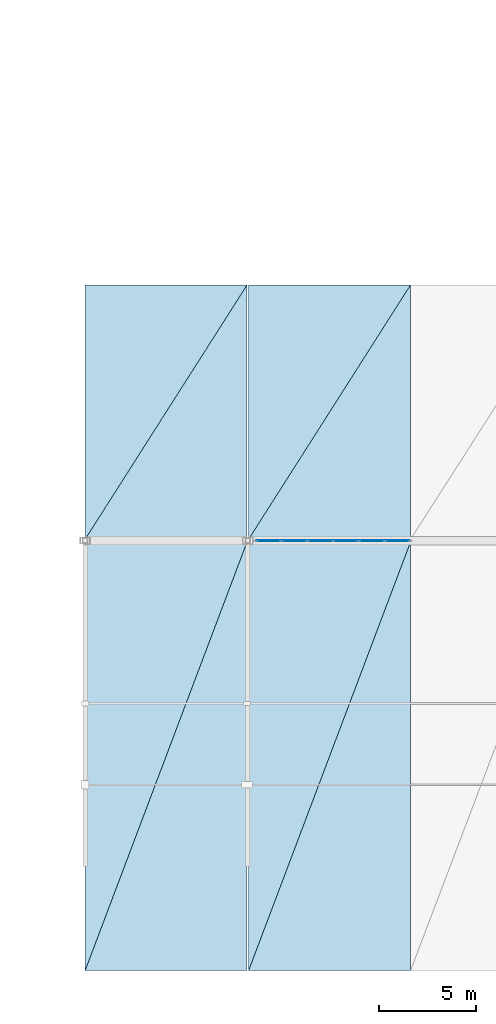
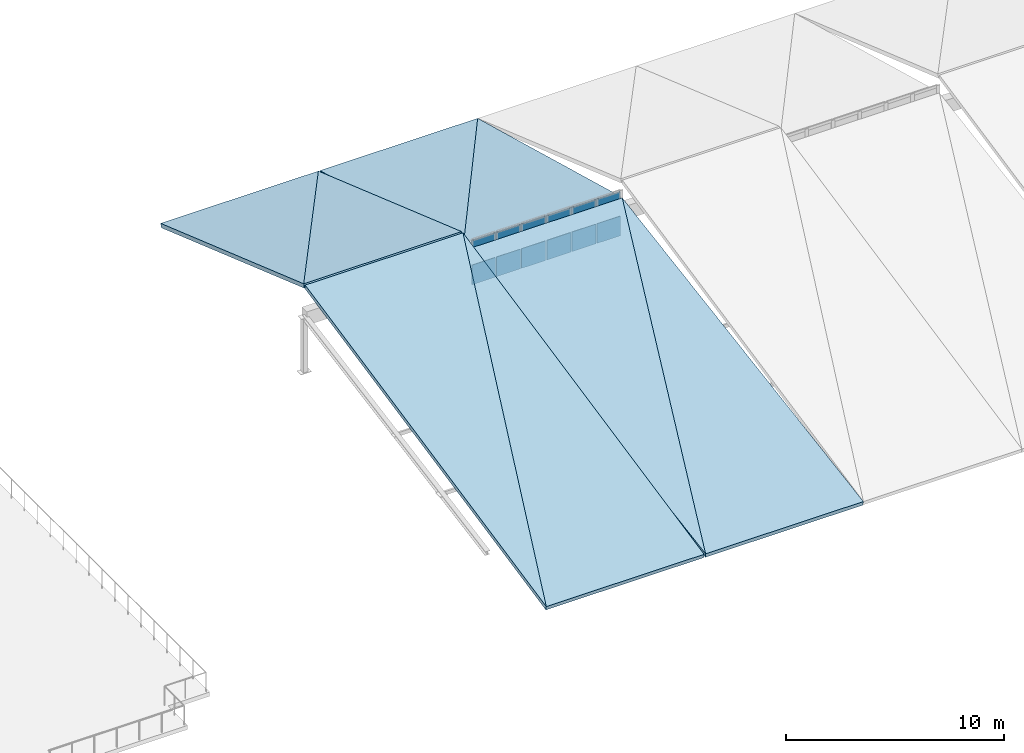
# One storey, part 56 of 76: 12 plates, 8 slabs, 1 element without a shape of its own.
"""IFC4 building model written with IfcOpenShell, lengths in metres."""

from ifc_helpers import new_model, si_unit, direction, frame, origin, origin_2d, place, context, subcontext, project, spatial, polyline, rectangle, outline, extrude, material, layer, layer_set, type_object, element, aggregate, save


model = new_model("IFC4")

# Units and contexts
model_context = context("Model", 3, precision=1e-05, world=origin(), true_north=direction((0.0, 1.0)))
body_context = subcontext(model_context, "Body", "Model", "MODEL_VIEW")
ifc_project = project(units=[si_unit("LENGTHUNIT", "METRE"), si_unit("AREAUNIT", "SQUARE_METRE"), si_unit("VOLUMEUNIT", "CUBIC_METRE"), si_unit("PLANEANGLEUNIT", "RADIAN"), si_unit("MASSUNIT", "GRAM", prefix="KILO")], contexts=[model_context])

# Site, building, storey
site_placement = place(None, origin())
site = spatial("IfcSite", under=ifc_project, at=site_placement, CompositionType="ELEMENT")
building_placement = place(site_placement, origin())
building = spatial("IfcBuilding", under=site, at=building_placement, Name="Krzemoval Escarpment Law Courts", CompositionType="ELEMENT")
storey_placement = place(building_placement, frame((0.0, 0.0, 20.39990234375)))
storey = spatial("IfcBuildingStorey", under=building, at=storey_placement, Name="L04", CompositionType="ELEMENT", Elevation=20.39990234375)

# Curtain wall, plates
ifc_material_1 = material(Name="Aluminium 6063-T6", Category="aluminium")
ifc_layer_1 = layer(ifc_material_1, 0.199951171875)
ifc_layer_set_1 = layer_set([ifc_layer_1], Name="Aluminium 6063-T6")
curtain_wall_type = type_object("IfcCurtainWallType", Name="CW-CLER-2800", PredefinedType="USERDEFINED", material=ifc_layer_set_1)
curtain_wall_placement = place(storey_placement, origin())
curtain_wall = element("IfcCurtainWall", 1, at=curtain_wall_placement, inside=storey, type_object=curtain_wall_type, Name="Clerestory Curtain Wall CW-CLER-V3-01", ObjectType="UNITISED_CURTAIN_WALL", PredefinedType="USERDEFINED")
ifc_material_2 = material(Name="Triple Glazing IGU", Category="glass")
ifc_layer_2 = layer(ifc_material_2, 0.0419921875)
ifc_layer_set_2 = layer_set([ifc_layer_2], Name="Triple Glazing IGU")
plate_type = type_object("IfcPlateType", Name="CWP-GLZ-42", PredefinedType="CURTAIN_PANEL", material=ifc_layer_set_2)
plate_1_placement = place(storey_placement, frame((118.682861328125, 22.199951171875, 1.465087890625), z_axis=(0.0, 0.0, 1.0), x_axis=(1.0, 0.0, 0.0)))
plate_1 = element("IfcPlate", 2, at=plate_1_placement, type_object=plate_type, Name="CW-CLER-V3-01 panel 1.1", PredefinedType="CURTAIN_PANEL", context=body_context, shape_type="SweptSolid", body=[
    extrude(rectangle(XDim=1.23583984375, YDim=0.0419921875, at=origin_2d()), origin(), (0.0, 0.0, 1.0), 1.1025390625),
])
plate_2_placement = place(storey_placement, frame((118.682861328125, 22.199951171875, 2.6328125), z_axis=(0.0, 0.0, 1.0), x_axis=(1.0, 0.0, 0.0)))
plate_2 = element("IfcPlate", 3, at=plate_2_placement, type_object=plate_type, Name="CW-CLER-V3-01 panel 1.2", PredefinedType="CURTAIN_PANEL", context=body_context, shape_type="SweptSolid", body=[
    extrude(rectangle(XDim=1.23583984375, YDim=0.0419921875, at=origin_2d()), origin(), (0.0, 0.0, 1.0), 1.302490234375),
])
plate_3_placement = place(storey_placement, frame((120.0, 22.199951171875, 1.465087890625), z_axis=(0.0, 0.0, 1.0), x_axis=(1.0, 0.0, 0.0)))
plate_3 = element("IfcPlate", 4, at=plate_3_placement, type_object=plate_type, Name="CW-CLER-V3-01 panel 2.1", PredefinedType="CURTAIN_PANEL", context=body_context, shape_type="SweptSolid", body=[
    extrude(rectangle(XDim=1.268310546875, YDim=0.0419921875, at=origin_2d()), origin(), (0.0, 0.0, 1.0), 1.1025390625),
])
plate_4_placement = place(storey_placement, frame((120.0, 22.199951171875, 2.6328125), z_axis=(0.0, 0.0, 1.0), x_axis=(1.0, 0.0, 0.0)))
plate_4 = element("IfcPlate", 5, at=plate_4_placement, type_object=plate_type, Name="CW-CLER-V3-01 panel 2.2", PredefinedType="CURTAIN_PANEL", context=body_context, shape_type="SweptSolid", body=[
    extrude(rectangle(XDim=1.268310546875, YDim=0.0419921875, at=origin_2d()), origin(), (0.0, 0.0, 1.0), 1.302490234375),
])
plate_5_placement = place(storey_placement, frame((121.333251953125, 22.199951171875, 1.465087890625), z_axis=(0.0, 0.0, 1.0), x_axis=(1.0, 0.0, 0.0)))
plate_5 = element("IfcPlate", 6, at=plate_5_placement, type_object=plate_type, Name="CW-CLER-V3-01 panel 3.1", PredefinedType="CURTAIN_PANEL", context=body_context, shape_type="SweptSolid", body=[
    extrude(rectangle(XDim=1.268310546875, YDim=0.0419921875, at=origin_2d()), origin(), (0.0, 0.0, 1.0), 1.1025390625),
])
plate_6_placement = place(storey_placement, frame((121.333251953125, 22.199951171875, 2.6328125), z_axis=(0.0, 0.0, 1.0), x_axis=(1.0, 0.0, 0.0)))
plate_6 = element("IfcPlate", 7, at=plate_6_placement, type_object=plate_type, Name="CW-CLER-V3-01 panel 3.2", PredefinedType="CURTAIN_PANEL", context=body_context, shape_type="SweptSolid", body=[
    extrude(rectangle(XDim=1.268310546875, YDim=0.0419921875, at=origin_2d()), origin(), (0.0, 0.0, 1.0), 1.302490234375),
])
plate_7_placement = place(storey_placement, frame((122.666748046875, 22.199951171875, 1.465087890625), z_axis=(0.0, 0.0, 1.0), x_axis=(1.0, 0.0, 0.0)))
plate_7 = element("IfcPlate", 8, at=plate_7_placement, type_object=plate_type, Name="CW-CLER-V3-01 panel 4.1", PredefinedType="CURTAIN_PANEL", context=body_context, shape_type="SweptSolid", body=[
    extrude(rectangle(XDim=1.268310546875, YDim=0.0419921875, at=origin_2d()), origin(), (0.0, 0.0, 1.0), 1.1025390625),
])
plate_8_placement = place(storey_placement, frame((122.666748046875, 22.199951171875, 2.6328125), z_axis=(0.0, 0.0, 1.0), x_axis=(1.0, 0.0, 0.0)))
plate_8 = element("IfcPlate", 9, at=plate_8_placement, type_object=plate_type, Name="CW-CLER-V3-01 panel 4.2", PredefinedType="CURTAIN_PANEL", context=body_context, shape_type="SweptSolid", body=[
    extrude(rectangle(XDim=1.268310546875, YDim=0.0419921875, at=origin_2d()), origin(), (0.0, 0.0, 1.0), 1.302490234375),
])
plate_9_placement = place(storey_placement, frame((124.0, 22.199951171875, 1.465087890625), z_axis=(0.0, 0.0, 1.0), x_axis=(1.0, 0.0, 0.0)))
plate_9 = element("IfcPlate", 10, at=plate_9_placement, type_object=plate_type, Name="CW-CLER-V3-01 panel 5.1", PredefinedType="CURTAIN_PANEL", context=body_context, shape_type="SweptSolid", body=[
    extrude(rectangle(XDim=1.268310546875, YDim=0.0419921875, at=origin_2d()), origin(), (0.0, 0.0, 1.0), 1.1025390625),
])
plate_10_placement = place(storey_placement, frame((124.0, 22.199951171875, 2.6328125), z_axis=(0.0, 0.0, 1.0), x_axis=(1.0, 0.0, 0.0)))
plate_10 = element("IfcPlate", 11, at=plate_10_placement, type_object=plate_type, Name="CW-CLER-V3-01 panel 5.2", PredefinedType="CURTAIN_PANEL", context=body_context, shape_type="SweptSolid", body=[
    extrude(rectangle(XDim=1.268310546875, YDim=0.0419921875, at=origin_2d()), origin(), (0.0, 0.0, 1.0), 1.302490234375),
])
plate_11_placement = place(storey_placement, frame((125.317138671875, 22.199951171875, 1.465087890625), z_axis=(0.0, 0.0, 1.0), x_axis=(1.0, 0.0, 0.0)))
plate_11 = element("IfcPlate", 12, at=plate_11_placement, type_object=plate_type, Name="CW-CLER-V3-01 panel 6.1", PredefinedType="CURTAIN_PANEL", context=body_context, shape_type="SweptSolid", body=[
    extrude(rectangle(XDim=1.23583984375, YDim=0.0419921875, at=origin_2d()), origin(), (0.0, 0.0, 1.0), 1.1025390625),
])
plate_12_placement = place(storey_placement, frame((125.317138671875, 22.199951171875, 2.6328125), z_axis=(0.0, 0.0, 1.0), x_axis=(1.0, 0.0, 0.0)))
plate_12 = element("IfcPlate", 13, at=plate_12_placement, type_object=plate_type, Name="CW-CLER-V3-01 panel 6.2", PredefinedType="CURTAIN_PANEL", context=body_context, shape_type="SweptSolid", body=[
    extrude(rectangle(XDim=1.23583984375, YDim=0.0419921875, at=origin_2d()), origin(), (0.0, 0.0, 1.0), 1.302490234375),
])
aggregate(curtain_wall, [plate_1, plate_2, plate_3, plate_4, plate_5, plate_6, plate_7, plate_8, plate_9, plate_10, plate_11, plate_12])

# Slabs
ifc_material_3 = material(Name="Concrete C50/60", Category="concrete")
ifc_layer_3 = layer(ifc_material_3, 0.219970703125)
ifc_layer_set_3 = layer_set([ifc_layer_3], Name="Concrete C50/60")
slab_type = type_object("IfcSlabType", Name="SL-ROOF-FP220", PredefinedType="ROOF", material=ifc_layer_set_3)
slab_1_placement = place(storey_placement, frame((109.199951171875, 0.0, 0.0), z_axis=(0.0, -0.202916710403, 0.979196001135), x_axis=(1.0, 0.0, 0.0)))
element("IfcSlab", 14, at=slab_1_placement, inside=storey, type_object=slab_type, Name="Folded-Plate Roof Facet FPR-V3-01SA", PredefinedType="ROOF", context=body_context, shape_type="SweptSolid", body=[
    extrude(outline(polyline([(0.0, 0.0), (8.360107421875, 0.0), (8.360107421875, 22.60130095503608), (0.0, 0.0)])), origin(), (0.0, 0.0, -1.0), 0.219970703125),
])
slab_2_placement = place(storey_placement, frame((109.199951171875, 0.0, 0.0), z_axis=(0.0, -0.202916710403, 0.979196001135), x_axis=(0.346922230786, 0.918381955393, 0.190314344693)))
element("IfcSlab", 15, at=slab_2_placement, inside=storey, type_object=slab_type, Name="Folded-Plate Roof Facet FPR-V3-01SB", PredefinedType="ROOF", context=body_context, shape_type="SweptSolid", body=[
    extrude(outline(polyline([(0.0, 0.0), (24.097929391659452, -2.220446049250313e-16), (21.19762227525303, 7.840893745984045), (0.0, 0.0)])), origin(), (0.0, 0.0, -1.0), 0.219970703125),
])
slab_3_placement = place(storey_placement, frame((109.199951171875, 22.26611328125, 4.5771484375), z_axis=(0.0, 0.329089731104, 0.944298654495), x_axis=(1.0, 0.0, 0.0)))
element("IfcSlab", 16, at=slab_3_placement, inside=storey, type_object=slab_type, Name="Folded-Plate Roof Facet FPR-V3-01NA", PredefinedType="ROOF", context=body_context, shape_type="SweptSolid", body=[
    extrude(outline(polyline([(0.0, 0.0), (8.360107421875, 0.0), (8.360107421875, 13.908511888665636), (0.0, 0.0)])), origin(), (0.0, 0.0, -1.0), 0.219970703125),
])
slab_4_placement = place(storey_placement, frame((109.199951171875, 22.26611328125, 4.5771484375), z_axis=(0.0, 0.329089731104, 0.944298654495), x_axis=(0.51517527282, 0.809344069638, -0.28205782247)))
element("IfcSlab", 17, at=slab_4_placement, inside=storey, type_object=slab_type, Name="Folded-Plate Roof Facet FPR-V3-01NB", PredefinedType="ROOF", context=body_context, shape_type="SweptSolid", body=[
    extrude(outline(polyline([(0.0, 0.0), (16.227695432883955, 9.992007221626409e-16), (11.920774811015438, 7.165321406762795), (0.0, 0.0)])), origin(), (0.0, 0.0, -1.0), 0.219970703125),
])
slab_5_placement = place(storey_placement, frame((117.639892578125, 0.0, 0.0), z_axis=(0.0, -0.160083489406, 0.987103478071), x_axis=(1.0, 0.0, 0.0)))
element("IfcSlab", 18, at=slab_5_placement, inside=storey, type_object=slab_type, Name="Folded-Plate Roof Facet FPR-V3-02SA", PredefinedType="ROOF", context=body_context, shape_type="SweptSolid", body=[
    extrude(outline(polyline([(0.0, 0.0), (8.360107421875, 0.0), (8.360107421875, 22.420246719092642), (0.0, 0.0)])), origin(), (0.0, 0.0, -1.0), 0.219970703125),
])
slab_6_placement = place(storey_placement, frame((117.639892578125, 0.0, 0.0), z_axis=(0.0, -0.160083489406, 0.987103478071), x_axis=(0.349383015187, 0.924896210719, 0.149995026904)))
element("IfcSlab", 19, at=slab_6_placement, inside=storey, type_object=slab_type, Name="Folded-Plate Roof Facet FPR-V3-02SB", PredefinedType="ROOF", context=body_context, shape_type="SweptSolid", body=[
    extrude(outline(polyline([(0.0, 0.0), (23.928202169203477, -5.551115123125783e-16), (21.007322630863467, 7.83325339994795), (0.0, 0.0)])), origin(), (0.0, 0.0, -1.0), 0.219970703125),
])
slab_7_placement = place(storey_placement, frame((117.639892578125, 22.26806640625, 3.58203125), z_axis=(0.0, 0.26315990053, 0.964752230758), x_axis=(1.0, 0.0, 0.0)))
element("IfcSlab", 20, at=slab_7_placement, inside=storey, type_object=slab_type, Name="Folded-Plate Roof Facet FPR-V3-02NA", PredefinedType="ROOF", context=body_context, shape_type="SweptSolid", body=[
    extrude(outline(polyline([(0.0, 0.0), (8.360107421875, 0.0), (8.360107421875, 13.611615002099974), (0.0, 0.0)])), origin(), (0.0, 0.0, -1.0), 0.219970703125),
])
slab_8_placement = place(storey_placement, frame((117.639892578125, 22.26806640625, 3.58203125), z_axis=(0.0, 0.26315990053, 0.964752230758), x_axis=(0.523358417248, 0.822077579269, -0.22424188003)))
element("IfcSlab", 21, at=slab_8_placement, inside=storey, type_object=slab_type, Name="Folded-Plate Roof Facet FPR-V3-02NB", PredefinedType="ROOF", context=body_context, shape_type="SweptSolid", body=[
    extrude(outline(polyline([(0.0, 0.0), (15.973961909015639, 2.220446049250313e-16), (11.598629320683683, 7.123753283681984), (0.0, 0.0)])), origin(), (0.0, 0.0, -1.0), 0.219970703125),
])

save(model, "model.ifc")
